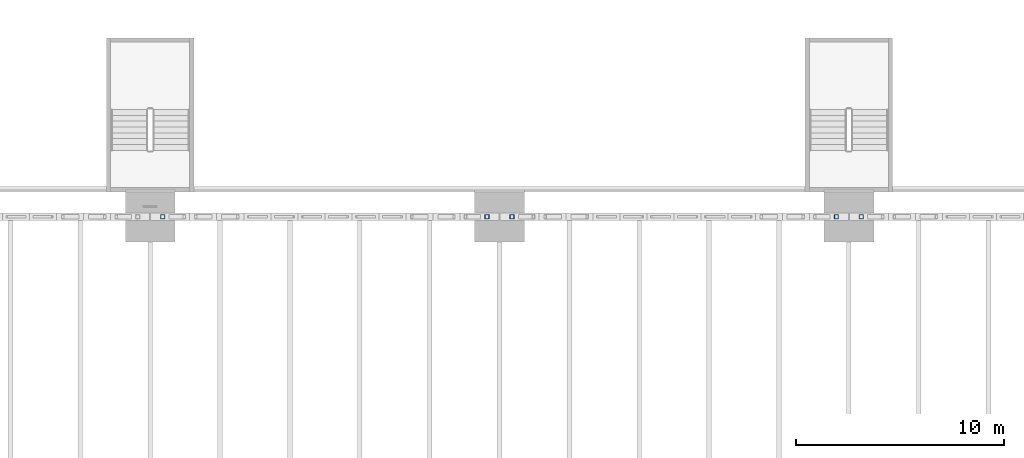
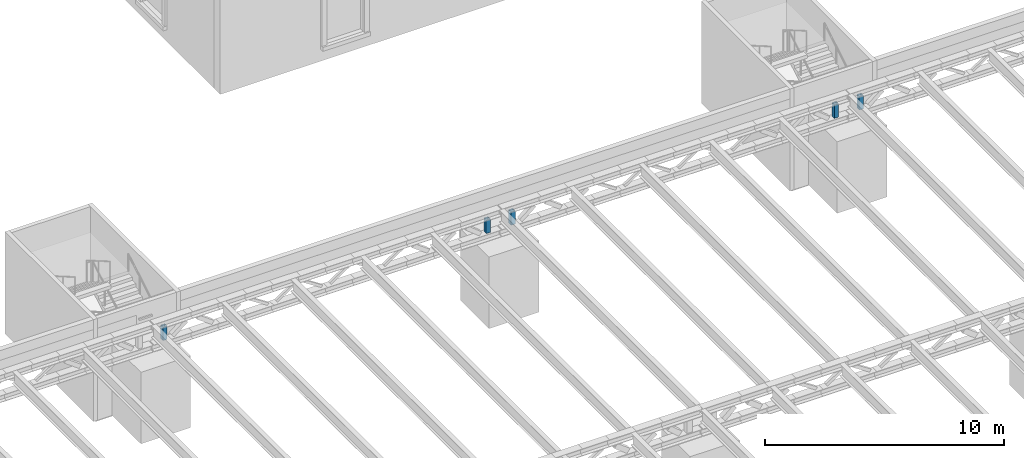
# One storey, part 44 of 93: 5 members.
"""IFC4 building model written with IfcOpenShell, lengths in metres."""

from ifc_helpers import new_model, si_unit, direction, frame, origin, origin_2d, place, context, subcontext, project, spatial, hollow_rectangle, extrude, material, material_profile, profile_set, type_object, element, save


model = new_model("IFC4")

# Units and contexts
model_context = context("Model", 3, precision=1e-05, world=origin(), true_north=direction((0.0, 1.0)))
body_context = subcontext(model_context, "Body", "Model", "MODEL_VIEW")
ifc_project = project(units=[si_unit("LENGTHUNIT", "METRE"), si_unit("AREAUNIT", "SQUARE_METRE"), si_unit("VOLUMEUNIT", "CUBIC_METRE"), si_unit("PLANEANGLEUNIT", "RADIAN"), si_unit("MASSUNIT", "GRAM", prefix="KILO")], contexts=[model_context])

# Site, building, storey
site_placement = place(None, origin())
site = spatial("IfcSite", under=ifc_project, at=site_placement, CompositionType="ELEMENT")
building_placement = place(site_placement, origin())
building = spatial("IfcBuilding", under=site, at=building_placement, Name="Verrick Yard Athletic Hall", CompositionType="ELEMENT")
storey_placement = place(building_placement, frame((0.0, 0.0, 8.800048828125)))
storey = spatial("IfcBuildingStorey", under=building, at=storey_placement, Name="L02", CompositionType="ELEMENT", Elevation=8.800048828125)

# Members
ifc_material = material(Name="Structural steel HSS Class C 350W (CSA G40.20/G40.21)", Category="steel")
ifc_material_profile = material_profile(ifc_material, hollow_rectangle(XDim=0.203125, YDim=0.203125, WallThickness=0.0126953125, at=origin_2d()), Name="HSS203x203x13")
ifc_profile_set = profile_set([ifc_material_profile], Name="Structural steel HSS Class C 350W (CSA G40.20/G40.21)")
member_type = type_object("IfcMemberType", Name="STR Edge truss end post HSS203x203x13", PredefinedType="POST", material=ifc_profile_set)
for number, where, z_axis, x_axis, name in (
    (1, (74.199951171875, 52.800048828125, 4.005859375), (0.0, 0.0, 1.0), (1.0, 0.0, 0.0), "STR-TP-GC3-W"),
    (2, (89.800048828125, 52.800048828125, 4.005859375), (0.0, 0.0, 1.0), (1.0, 0.0, 0.0), "STR-TP-GC3-E"),
    (3, (91.0, 52.800048828125, 4.005859375), (0.0, 0.0, 1.0), (1.0, 0.0, 0.0), "STR-TP-GC4-W"),
    (4, (106.60009765625, 52.800048828125, 4.005859375), (0.0, 0.0, 1.0), (1.0, 0.0, 0.0), "STR-TP-GC4-E"),
    (5, (107.800048828125, 52.800048828125, 4.005859375), (0.0, 0.0, 1.0), (1.0, 0.0, 0.0), "STR-TP-GC5-W"),
):
    element("IfcMember", number, at=place(storey_placement, frame(where, z_axis=z_axis, x_axis=x_axis)), inside=storey, type_object=member_type, Name=name, PredefinedType="POST", context=body_context, shape_type="SweptSolid", body=[
        extrude(hollow_rectangle(XDim=0.203125, YDim=0.203125, WallThickness=0.0126953125, at=origin_2d()), origin(), (0.0, 0.0, 1.0), 0.68798828125),
    ])

save(model, "model.ifc")
